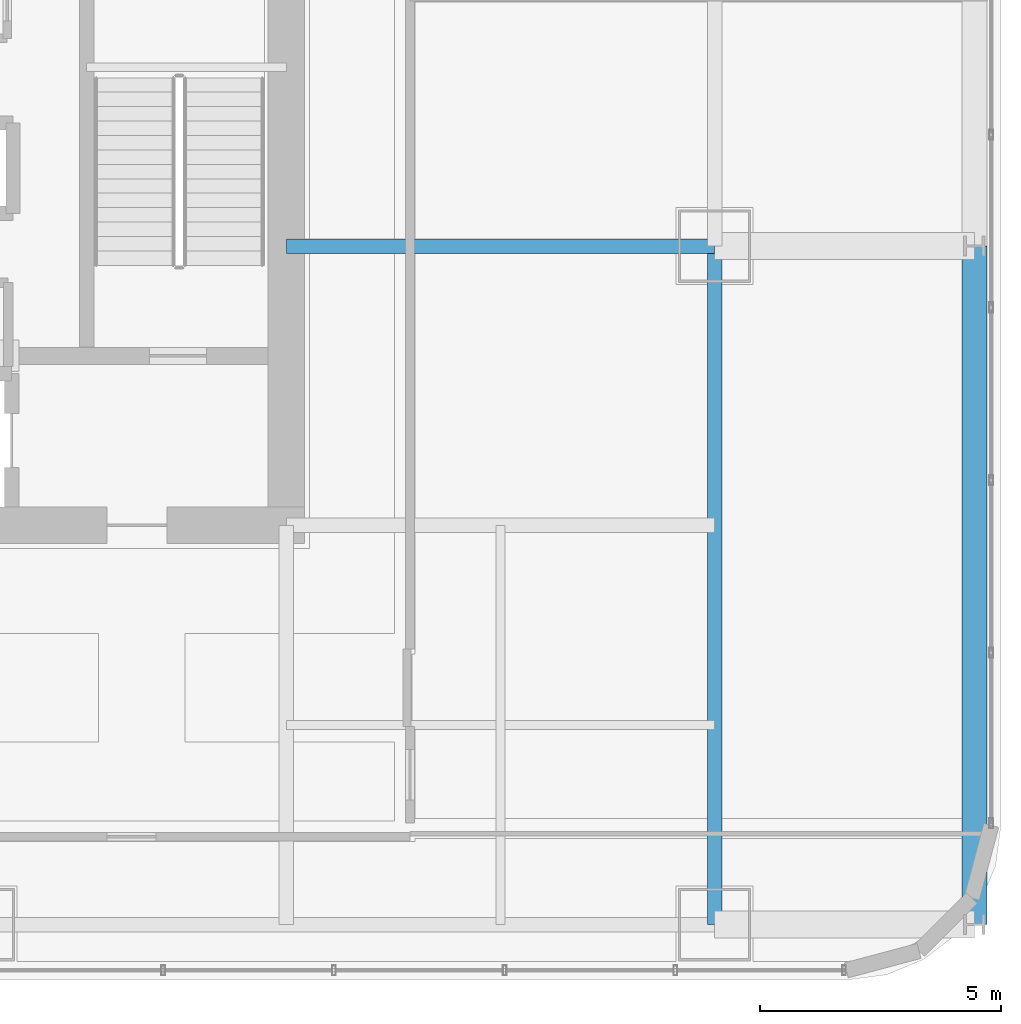
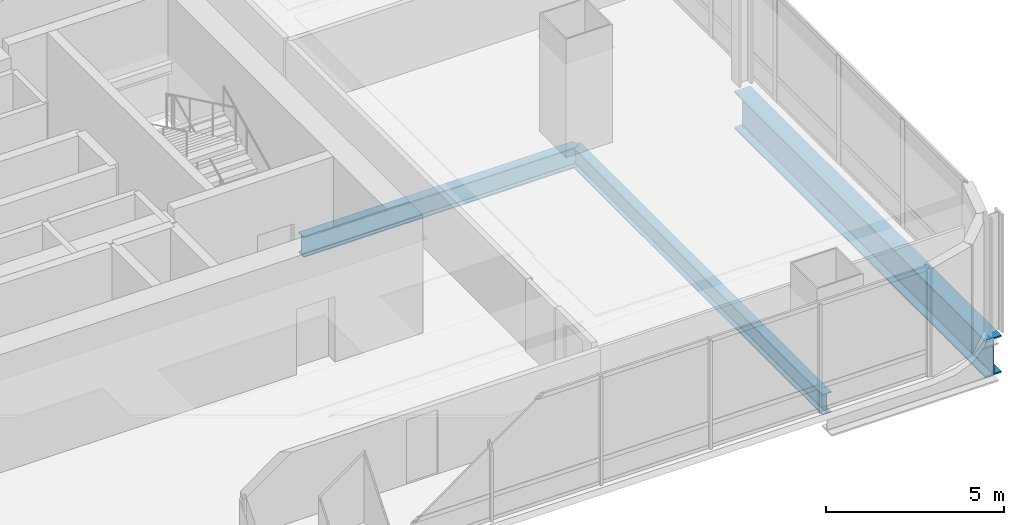
# One storey, part 14 of 33: 3 beams.
"""IFC4 building model written with IfcOpenShell, lengths in metres."""

from ifc_helpers import new_model, si_unit, direction, frame, origin, origin_2d, place, context, subcontext, project, spatial, i_section, extrude, material, material_profile, profile_set, type_object, element, save


model = new_model("IFC4")

# Units and contexts
model_context = context("Model", 3, precision=1e-05, world=origin(), true_north=direction((0.0, 1.0)))
body_context = subcontext(model_context, "Body", "Model", "MODEL_VIEW")
ifc_project = project(units=[si_unit("LENGTHUNIT", "METRE"), si_unit("AREAUNIT", "SQUARE_METRE"), si_unit("VOLUMEUNIT", "CUBIC_METRE"), si_unit("PLANEANGLEUNIT", "RADIAN"), si_unit("MASSUNIT", "GRAM", prefix="KILO")], contexts=[model_context])

# Site, building, storey
site_placement = place(None, origin())
site = spatial("IfcSite", under=ifc_project, at=site_placement, CompositionType="ELEMENT")
building_placement = place(site_placement, origin())
building = spatial("IfcBuilding", under=site, at=building_placement, Name="Punatoya Terracotta Tower", CompositionType="ELEMENT")
storey_placement = place(building_placement, frame((0.0, 0.0, 121.35009765625)))
storey = spatial("IfcBuildingStorey", under=building, at=storey_placement, Name="L28", CompositionType="ELEMENT", Elevation=121.35009765625)

# Beams
ifc_material_1 = material(Name="Steel S355", Category="steel")
ifc_material_profile_1 = material_profile(ifc_material_1, i_section(OverallWidth=0.300048828125, OverallDepth=0.699951171875, WebThickness=0.01708984375, FlangeThickness=0.031982421875, FilletRadius=0.01806640625, at=origin_2d()))
ifc_profile_set_1 = profile_set([ifc_material_profile_1], Name="Steel S355")
beam_type_1 = type_object("IfcBeamType", Name="BM-PRI-700", PredefinedType="BEAM", material=ifc_profile_set_1)
beam_1_placement = place(storey_placement, frame((19.10009765625, -17.5, -0.590087890625), z_axis=(0.0, 1.0, 0.0), x_axis=(-1.0, 0.0, 0.0)))
element("IfcBeam", 1, at=beam_1_placement, inside=storey, type_object=beam_type_1, Name="BM-L28-RG-E1", PredefinedType="BEAM", context=body_context, shape_type="SweptSolid", body=[
    extrude(i_section(OverallWidth=0.300048828125, OverallDepth=0.699951171875, WebThickness=0.01708984375, FlangeThickness=0.031982421875, FilletRadius=0.01806640625, at=origin_2d()), origin(), (0.0, 0.0, 1.0), 14.10009765625),
])
beam_2_placement = place(storey_placement, frame((10.199951171875, -3.39990234375, -0.590087890625), z_axis=(1.0, 0.0, 0.0), x_axis=(0.0, 1.0, 0.0)))
element("IfcBeam", 2, at=beam_2_placement, inside=storey, type_object=beam_type_1, Name="BM-L28-PR-ED", PredefinedType="BEAM", context=body_context, shape_type="SweptSolid", body=[
    extrude(i_section(OverallWidth=0.300048828125, OverallDepth=0.699951171875, WebThickness=0.01708984375, FlangeThickness=0.031982421875, FilletRadius=0.01806640625, at=origin_2d()), origin(), (0.0, 0.0, 1.0), 8.900146484375),
])
ifc_material_2 = material(Name="Steel S460", Category="steel")
ifc_material_profile_2 = material_profile(ifc_material_2, i_section(OverallWidth=0.52001953125, OverallDepth=1.280029296875, WebThickness=0.031982421875, FlangeThickness=0.050048828125, FilletRadius=0.01806640625, at=origin_2d()))
ifc_profile_set_2 = profile_set([ifc_material_profile_2], Name="Steel S460")
beam_type_2 = type_object("IfcBeamType", Name="BM-TG-NCK", PredefinedType="BEAM", material=ifc_profile_set_2)
beam_3_placement = place(storey_placement, frame((24.5, -17.5, -0.880126953125), z_axis=(0.0, 1.0, 0.0), x_axis=(-1.0, 0.0, 0.0)))
element("IfcBeam", 3, at=beam_3_placement, inside=storey, type_object=beam_type_2, Name="BM-L28-PER-E1", PredefinedType="BEAM", context=body_context, shape_type="SweptSolid", body=[
    extrude(i_section(OverallWidth=0.52001953125, OverallDepth=1.280029296875, WebThickness=0.031982421875, FlangeThickness=0.050048828125, FilletRadius=0.01806640625, at=origin_2d()), origin(), (0.0, 0.0, 1.0), 14.10009765625),
])

save(model, "model.ifc")
